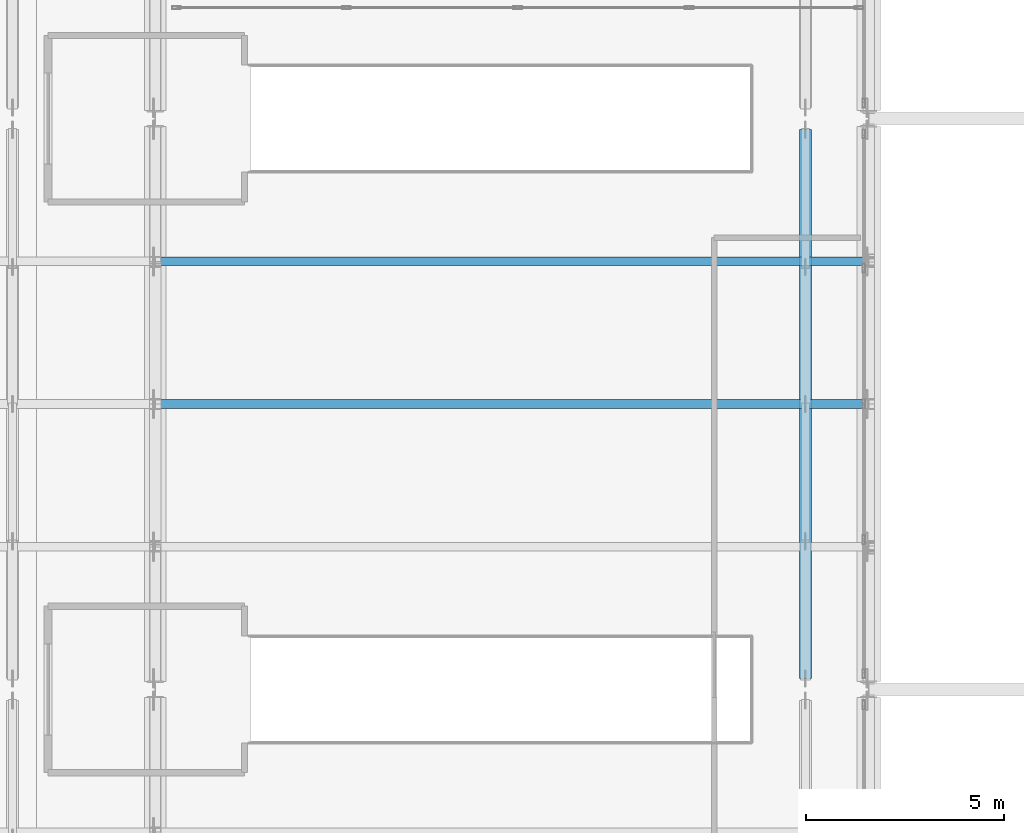
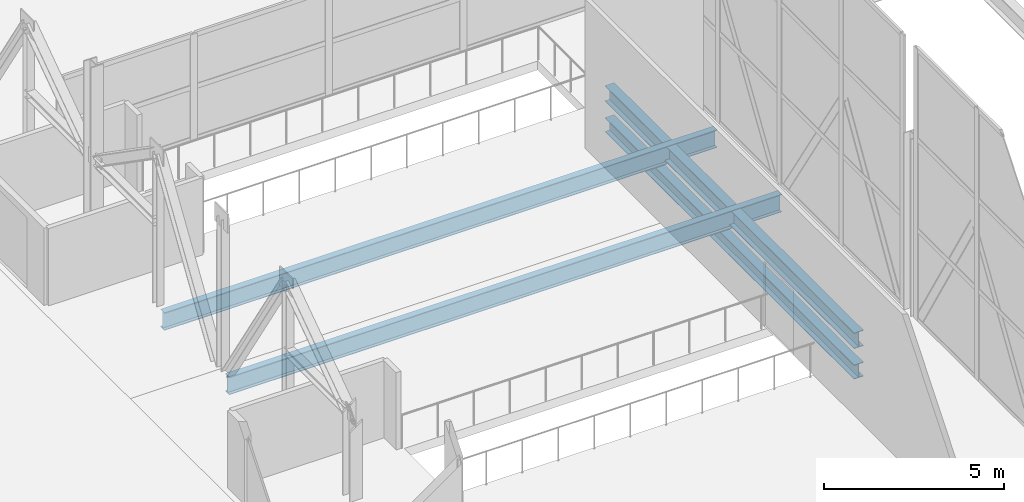
# One storey, part 65 of 191: 4 beams.
"""IFC4 building model written with IfcOpenShell, lengths in metres."""

from ifc_helpers import new_model, si_unit, direction, frame, origin, origin_2d, place, context, subcontext, project, spatial, i_section, extrude, material, material_profile, profile_set, type_object, element, save


model = new_model("IFC4")

# Units and contexts
model_context = context("Model", 3, precision=1e-05, world=origin(), true_north=direction((0.0, 1.0)))
body_context = subcontext(model_context, "Body", "Model", "MODEL_VIEW")
ifc_project = project(units=[si_unit("LENGTHUNIT", "METRE"), si_unit("AREAUNIT", "SQUARE_METRE"), si_unit("VOLUMEUNIT", "CUBIC_METRE"), si_unit("PLANEANGLEUNIT", "RADIAN"), si_unit("MASSUNIT", "GRAM", prefix="KILO")], contexts=[model_context])

# Site, building, storey
site_placement = place(None, origin())
site = spatial("IfcSite", under=ifc_project, at=site_placement, CompositionType="ELEMENT")
building_placement = place(site_placement, origin())
building = spatial("IfcBuilding", under=site, at=building_placement, Name="Tamarisk Ironworks Central Station", CompositionType="ELEMENT")
storey_placement = place(building_placement, frame((0.0, 0.0, 6.60009765625)))
storey = spatial("IfcBuildingStorey", under=building, at=storey_placement, Name="L01", CompositionType="ELEMENT", Elevation=6.60009765625)

# Beams
ifc_material = material(Name="Structural steel S355J2", Category="steel")
ifc_material_profile_1 = material_profile(ifc_material, i_section(OverallWidth=0.219970703125, OverallDepth=0.60009765625, WebThickness=0.011962890625, FlangeThickness=0.01904296875, at=origin_2d()), Name="IPE 600")
ifc_profile_set_1 = profile_set([ifc_material_profile_1], Name="Structural steel S355J2")
beam_type_1 = type_object("IfcBeamType", Name="BM-B01", PredefinedType="BEAM", material=ifc_profile_set_1)
for number, where, z_axis, x_axis, name in (
    (1, (90.135009765625, 57.60009765625, -0.60009765625), (1.0, 0.0, 0.0), (0.0, 1.0, 0.0), "L01 secondary composite beam 0039"),
    (2, (90.135009765625, 61.199951171875, -0.60009765625), (1.0, 0.0, 0.0), (0.0, 1.0, 0.0), "L01 secondary composite beam 0040"),
):
    element("IfcBeam", number, at=place(storey_placement, frame(where, z_axis=z_axis, x_axis=x_axis)), inside=storey, type_object=beam_type_1, Name=name, PredefinedType="BEAM", context=body_context, shape_type="SweptSolid", body=[
        extrude(i_section(OverallWidth=0.219970703125, OverallDepth=0.60009765625, WebThickness=0.011962890625, FlangeThickness=0.01904296875, at=origin_2d()), origin(), (0.0, 0.0, 1.0), 17.72998046875),
    ])
ifc_material_profile_2 = material_profile(ifc_material, i_section(OverallWidth=0.300048828125, OverallDepth=0.5400390625, WebThickness=0.012451171875, FlangeThickness=0.02392578125, at=origin_2d()), Name="HEA 550")
ifc_profile_set_2 = profile_set([ifc_material_profile_2], Name="Structural steel S355J2")
beam_type_2 = type_object("IfcBeamType", Name="BM-G04", PredefinedType="BEAM", material=ifc_profile_set_2)
beam_1_placement = place(storey_placement, frame((106.39990234375, 50.679931640625, -0.580078125), z_axis=(0.0, 1.0, 0.0), x_axis=(-1.0, 0.0, 0.0)))
element("IfcBeam", 3, at=beam_1_placement, inside=storey, type_object=beam_type_2, Name="Bridge deck transfer stiffening chord 198", PredefinedType="BEAM", context=body_context, shape_type="SweptSolid", body=[
    extrude(i_section(OverallWidth=0.300048828125, OverallDepth=0.5400390625, WebThickness=0.012451171875, FlangeThickness=0.02392578125, at=origin_2d()), origin(), (0.0, 0.0, 1.0), 13.840087890625),
])
ifc_material_profile_3 = material_profile(ifc_material, i_section(OverallWidth=0.300048828125, OverallDepth=0.489990234375, WebThickness=0.011962890625, FlangeThickness=0.02294921875, at=origin_2d()), Name="HEA 500")
ifc_profile_set_3 = profile_set([ifc_material_profile_3], Name="Structural steel S355J2")
beam_type_3 = type_object("IfcBeamType", Name="BM-G05", PredefinedType="BEAM", material=ifc_profile_set_3)
beam_2_placement = place(storey_placement, frame((106.39990234375, 50.679931640625, -1.64013671875), z_axis=(0.0, 1.0, 0.0), x_axis=(-1.0, 0.0, 0.0)))
element("IfcBeam", 4, at=beam_2_placement, inside=storey, type_object=beam_type_3, Name="Bridge deck transfer stiffening chord 197", PredefinedType="BEAM", context=body_context, shape_type="SweptSolid", body=[
    extrude(i_section(OverallWidth=0.300048828125, OverallDepth=0.489990234375, WebThickness=0.011962890625, FlangeThickness=0.02294921875, at=origin_2d()), origin(), (0.0, 0.0, 1.0), 13.840087890625),
])

save(model, "model.ifc")
